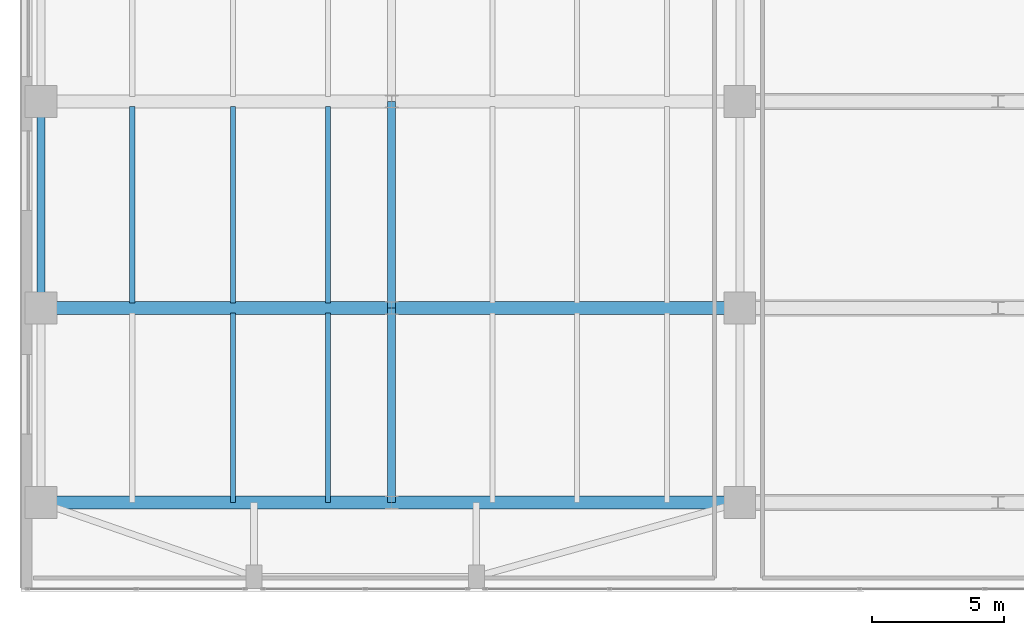
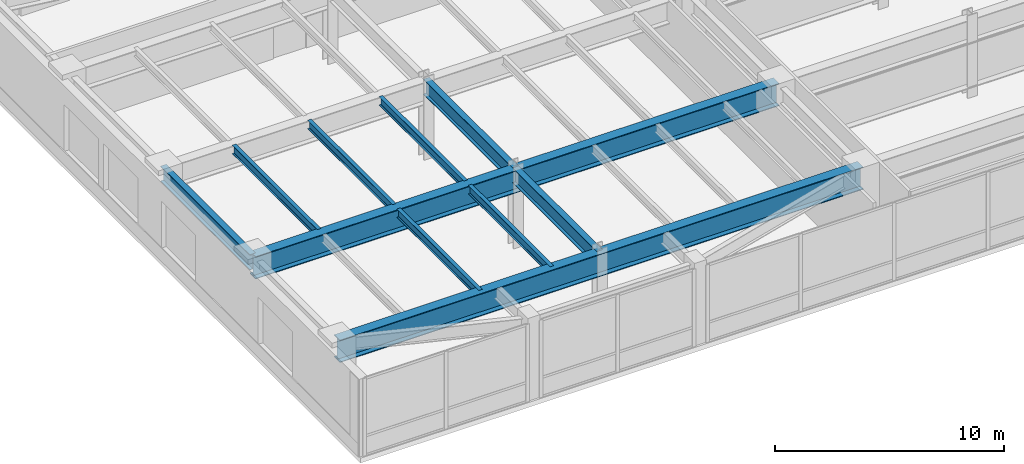
# One storey, part 5 of 27: 10 beams.
"""IFC4 building model written with IfcOpenShell, lengths in metres."""

from ifc_helpers import new_model, si_unit, direction, frame, origin, origin_2d, place, context, subcontext, project, spatial, i_section, extrude, source, transform, mapped, material, material_profile, profile_set, type_object, type_shapes, element, save


model = new_model("IFC4")

# Units and contexts
model_context = context("Model", 3, precision=1e-05, world=origin(), true_north=direction((0.0, 1.0)))
body_context = subcontext(model_context, "Body", "Model", "MODEL_VIEW")
ifc_project = project(units=[si_unit("LENGTHUNIT", "METRE"), si_unit("AREAUNIT", "SQUARE_METRE"), si_unit("VOLUMEUNIT", "CUBIC_METRE"), si_unit("PLANEANGLEUNIT", "RADIAN"), si_unit("MASSUNIT", "GRAM", prefix="KILO")], contexts=[model_context])

# Site, building, storey
site_placement = place(None, origin())
site = spatial("IfcSite", under=ifc_project, at=site_placement, CompositionType="ELEMENT")
building_placement = place(site_placement, origin())
building = spatial("IfcBuilding", under=site, at=building_placement, Name="Tolvann Quenvar Hotel", CompositionType="ELEMENT")
storey_placement = place(building_placement, frame((0.0, 0.0, 22.39990234375)))
storey = spatial("IfcBuildingStorey", under=building, at=storey_placement, Name="L04", CompositionType="ELEMENT", Elevation=22.39990234375)

# Beams
ifc_material = material(Name="Steel Grade 350", Category="steel")
ifc_material_profile_1 = material_profile(ifc_material, i_section(OverallWidth=0.300048828125, OverallDepth=0.81591796875, WebThickness=0.010009765625, FlangeThickness=0.028076171875, at=origin_2d()), Name="800WB192")
ifc_profile_set_1 = profile_set([ifc_material_profile_1], Name="Steel Grade 350")
beam_type_1 = type_object("IfcBeamType", Name="BM_GIRD_800WB192", PredefinedType="BEAM", material=ifc_profile_set_1)
shared_shape_1 = source(origin(), body_context, "Body", "SweptSolid", [
    extrude(i_section(OverallWidth=0.300048828125, OverallDepth=0.81591796875, WebThickness=0.010009765625, FlangeThickness=0.028076171875, at=origin_2d()), origin(), (0.0, 0.0, 1.0), 7.349853515625),
])
beam_placement = place(storey_placement, frame((5.60009765625, 0.85009765625, 3.732177734375), z_axis=(0.0, 1.0, 0.0), x_axis=(-1.0, 0.0, 0.0)))
element("IfcBeam", 1, at=beam_placement, inside=storey, type_object=beam_type_1, Name="BM-L04-NS-PBAL-0", PredefinedType="BEAM", context=body_context, shape_type="MappedRepresentation", body=[
    mapped(shared_shape_1, transform((0.0, 0.0, 0.0), x_axis=(1.0, 0.0, 0.0), y_axis=(0.0, 1.0, 0.0), z_axis=(0.0, 0.0, 1.0), scale=1.0)),
])
shared_shape_2 = source(origin(), body_context, "Body", "SweptSolid", [
    extrude(i_section(OverallWidth=0.300048828125, OverallDepth=0.81591796875, WebThickness=0.010009765625, FlangeThickness=0.028076171875, at=origin_2d()), origin(), (0.0, 0.0, 1.0), 7.800048828125),
])
type_shapes(beam_type_1, [shared_shape_1, shared_shape_2])
for number, where, z_axis, x_axis, name in (
    (2, (5.60009765625, 8.199951171875, 3.732177734375), (0.0, 1.0, 0.0), (-1.0, 0.0, 0.0), "BM-L04-NS-PBAL-1"),
    (3, (-7.64990234375, 8.199951171875, 3.732177734375), (0.0, 1.0, 0.0), (-1.0, 0.0, 0.0), "BM-L04-NS-A-1"),
):
    element("IfcBeam", number, at=place(storey_placement, frame(where, z_axis=z_axis, x_axis=x_axis)), inside=storey, type_object=beam_type_1, Name=name, PredefinedType="BEAM", context=body_context, shape_type="MappedRepresentation", body=[
        mapped(shared_shape_2, transform((0.0, 0.0, 0.0), x_axis=(1.0, 0.0, 0.0), y_axis=(0.0, 1.0, 0.0), z_axis=(0.0, 0.0, 1.0), scale=1.0)),
    ])
ifc_material_profile_2 = material_profile(ifc_material, i_section(OverallWidth=0.18994140625, OverallDepth=0.4541015625, WebThickness=0.008544921875, FlangeThickness=0.0126953125, FilletRadius=0.011474609375, at=origin_2d()), Name="460UB67")
ifc_profile_set_2 = profile_set([ifc_material_profile_2], Name="Steel Grade 350")
beam_type_2 = type_object("IfcBeamType", Name="BM_JOIST_460UB67", PredefinedType="JOIST", material=ifc_profile_set_2)
shared_shape_3 = source(origin(), body_context, "Body", "SweptSolid", [
    extrude(i_section(OverallWidth=0.18994140625, OverallDepth=0.4541015625, WebThickness=0.008544921875, FlangeThickness=0.0126953125, FilletRadius=0.011474609375, at=origin_2d()), origin(), (0.0, 0.0, 1.0), 7.164794921875),
])
for number, where, z_axis, x_axis, name in (
    (4, (-0.39990234375, 0.85009765625, 3.9130859375), (0.0, 1.0, 0.0), (-1.0, 0.0, 0.0), "BJ-L04--4-8"),
    (5, (3.199951171875, 0.85009765625, 3.9130859375), (0.0, 1.0, 0.0), (-1.0, 0.0, 0.0), "BJ-L04-32-8"),
):
    element("IfcBeam", number, at=place(storey_placement, frame(where, z_axis=z_axis, x_axis=x_axis)), inside=storey, type_object=beam_type_2, Name=name, PredefinedType="JOIST", context=body_context, shape_type="MappedRepresentation", body=[
        mapped(shared_shape_3, transform((0.0, 0.0, 0.0), x_axis=(1.0, 0.0, 0.0), y_axis=(0.0, 1.0, 0.0), z_axis=(0.0, 0.0, 1.0), scale=1.0)),
    ])
shared_shape_4 = source(origin(), body_context, "Body", "SweptSolid", [
    extrude(i_section(OverallWidth=0.18994140625, OverallDepth=0.4541015625, WebThickness=0.008544921875, FlangeThickness=0.0126953125, FilletRadius=0.011474609375, at=origin_2d()), origin(), (0.0, 0.0, 1.0), 7.429931640625),
])
type_shapes(beam_type_2, [shared_shape_3, shared_shape_4])
for number, where, z_axis, x_axis, name in (
    (6, (-4.199951171875, 8.385009765625, 3.9130859375), (0.0, 1.0, 0.0), (-1.0, 0.0, 0.0), "BJ-L04--42-82"),
    (7, (-0.39990234375, 8.385009765625, 3.9130859375), (0.0, 1.0, 0.0), (-1.0, 0.0, 0.0), "BJ-L04--4-82"),
    (8, (3.199951171875, 8.385009765625, 3.9130859375), (0.0, 1.0, 0.0), (-1.0, 0.0, 0.0), "BJ-L04-32-82"),
):
    element("IfcBeam", number, at=place(storey_placement, frame(where, z_axis=z_axis, x_axis=x_axis)), inside=storey, type_object=beam_type_2, Name=name, PredefinedType="JOIST", context=body_context, shape_type="MappedRepresentation", body=[
        mapped(shared_shape_4, transform((0.0, 0.0, 0.0), x_axis=(1.0, 0.0, 0.0), y_axis=(0.0, 1.0, 0.0), z_axis=(0.0, 0.0, 1.0), scale=1.0)),
    ])
ifc_material_profile_3 = material_profile(ifc_material, i_section(OverallWidth=0.5, OverallDepth=1.199951171875, WebThickness=0.01611328125, FlangeThickness=0.0400390625, at=origin_2d()), Name="1200WB455")
ifc_profile_set_3 = profile_set([ifc_material_profile_3], Name="Steel Grade 350")
beam_type_3 = type_object("IfcBeamType", Name="BM_TG_1200WB455", PredefinedType="USERDEFINED", material=ifc_profile_set_3)
shared_shape_5 = source(origin(), body_context, "Body", "SweptSolid", [
    extrude(i_section(OverallWidth=0.5, OverallDepth=1.199951171875, WebThickness=0.01611328125, FlangeThickness=0.0400390625, at=origin_2d()), origin(), (0.0, 0.0, 1.0), 26.39990234375),
])
type_shapes(beam_type_3, [shared_shape_5])
for number, where, z_axis, x_axis, name in (
    (9, (-7.64990234375, 0.85009765625, 3.5400390625), (1.0, 0.0, 0.0), (0.0, 1.0, 0.0), "Ballroom Clear-Span Girder L04-1"),
    (10, (-7.64990234375, 8.199951171875, 3.5400390625), (1.0, 0.0, 0.0), (0.0, 1.0, 0.0), "Ballroom Clear-Span Girder L04-2"),
):
    element("IfcBeam", number, at=place(storey_placement, frame(where, z_axis=z_axis, x_axis=x_axis)), inside=storey, type_object=beam_type_3, Name=name, ObjectType="TRANSFER GIRDER", PredefinedType="USERDEFINED", context=body_context, shape_type="MappedRepresentation", body=[
        mapped(shared_shape_5, transform((0.0, 0.0, 0.0), x_axis=(1.0, 0.0, 0.0), y_axis=(0.0, 1.0, 0.0), z_axis=(0.0, 0.0, 1.0), scale=1.0)),
    ])

save(model, "model.ifc")
